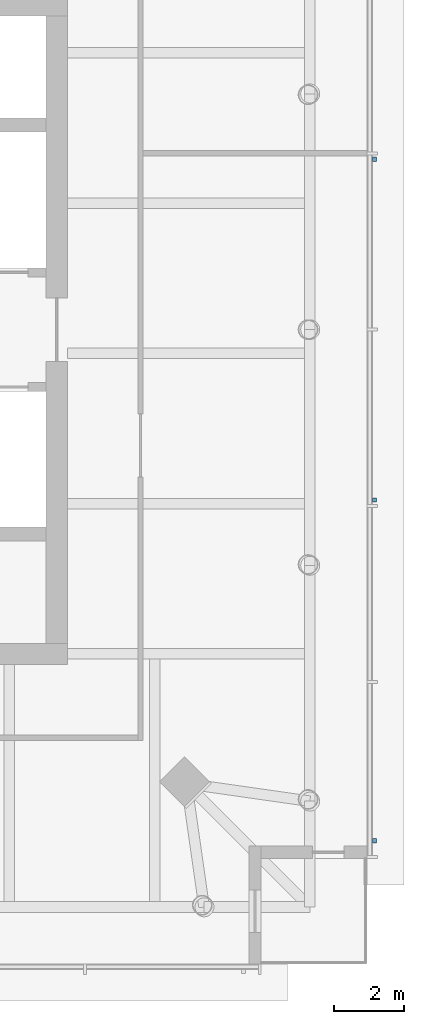
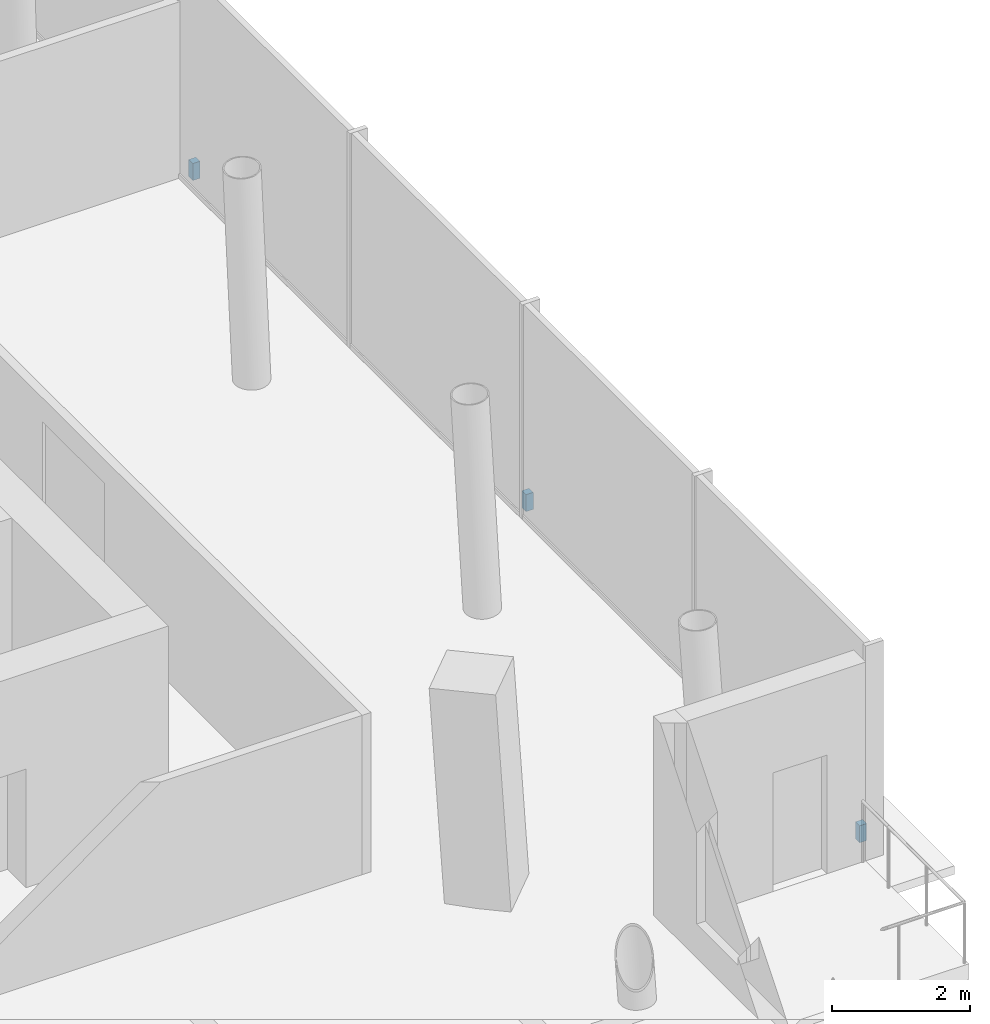
# One storey, part 22 of 28: 3 discrete accessories.
"""IFC4 building model written with IfcOpenShell, lengths in metres."""

from ifc_helpers import new_model, si_unit, direction, frame, origin, origin_2d, place, context, subcontext, project, spatial, rectangle, extrude, material, type_object, element, save


model = new_model("IFC4")

# Units and contexts
model_context = context("Model", 3, precision=1e-05, world=origin(), true_north=direction((0.0, 1.0)))
body_context = subcontext(model_context, "Body", "Model", "MODEL_VIEW")
ifc_project = project(units=[si_unit("LENGTHUNIT", "METRE"), si_unit("AREAUNIT", "SQUARE_METRE"), si_unit("VOLUMEUNIT", "CUBIC_METRE"), si_unit("PLANEANGLEUNIT", "RADIAN"), si_unit("MASSUNIT", "GRAM", prefix="KILO")], contexts=[model_context])

# Site, building, storey
site_placement = place(None, origin())
site = spatial("IfcSite", under=ifc_project, at=site_placement, CompositionType="ELEMENT")
building_placement = place(site_placement, origin())
building = spatial("IfcBuilding", under=site, at=building_placement, Name="Ostroluk Exchange", CompositionType="ELEMENT")
storey_placement = place(building_placement, frame((0.0, 0.0, 81.800048828125)))
storey = spatial("IfcBuildingStorey", under=building, at=storey_placement, Name="L20", CompositionType="ELEMENT", Elevation=81.800048828125)

# Discrete accessories
ifc_material = material(Name="Stainless steel", Category="steel")
discrete_accessory_type = type_object("IfcDiscreteAccessoryType", Name="Fall-arrest anchor PN-EN 795 type C", PredefinedType="USERDEFINED", material=ifc_material)
for number, where, z_axis, x_axis, name in (
    (1, (135.2099609375, 31.5, 0.0), (0.0, 0.0, 1.0), (1.0, 0.0, 0.0), "Fall-arrest anchor L20 east 1"),
    (2, (135.2099609375, 41.166748046875, 0.0), (0.0, 0.0, 1.0), (1.0, 0.0, 0.0), "Fall-arrest anchor L20 east 2"),
    (3, (135.2099609375, 50.833251953125, 0.0), (0.0, 0.0, 1.0), (1.0, 0.0, 0.0), "Fall-arrest anchor L20 east 3"),
):
    element("IfcDiscreteAccessory", number, at=place(storey_placement, frame(where, z_axis=z_axis, x_axis=x_axis)), inside=storey, type_object=discrete_accessory_type, Name=name, ObjectType="FALL ARREST ANCHOR", PredefinedType="USERDEFINED", context=body_context, shape_type="SweptSolid", body=[
        extrude(rectangle(XDim=0.1201171875, YDim=0.1201171875, at=origin_2d()), origin(), (0.0, 0.0, 1.0), 0.300048828125),
    ])

save(model, "model.ifc")
